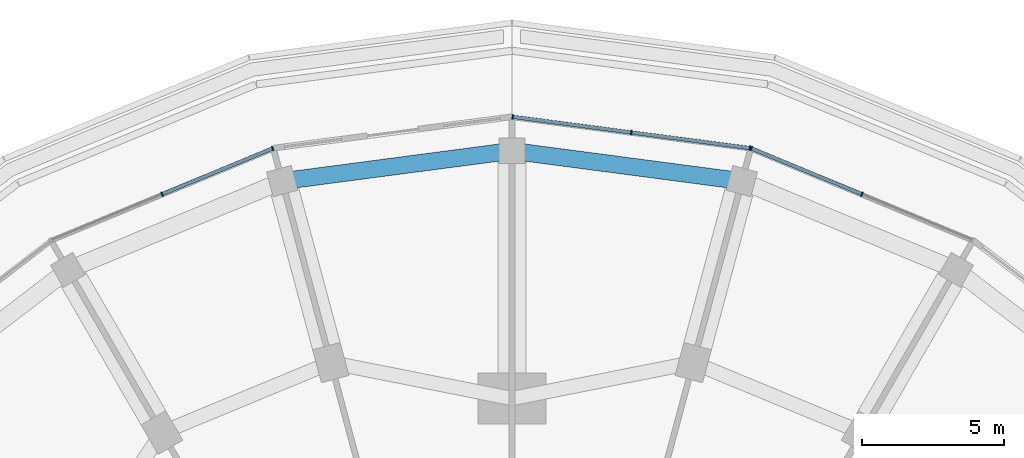
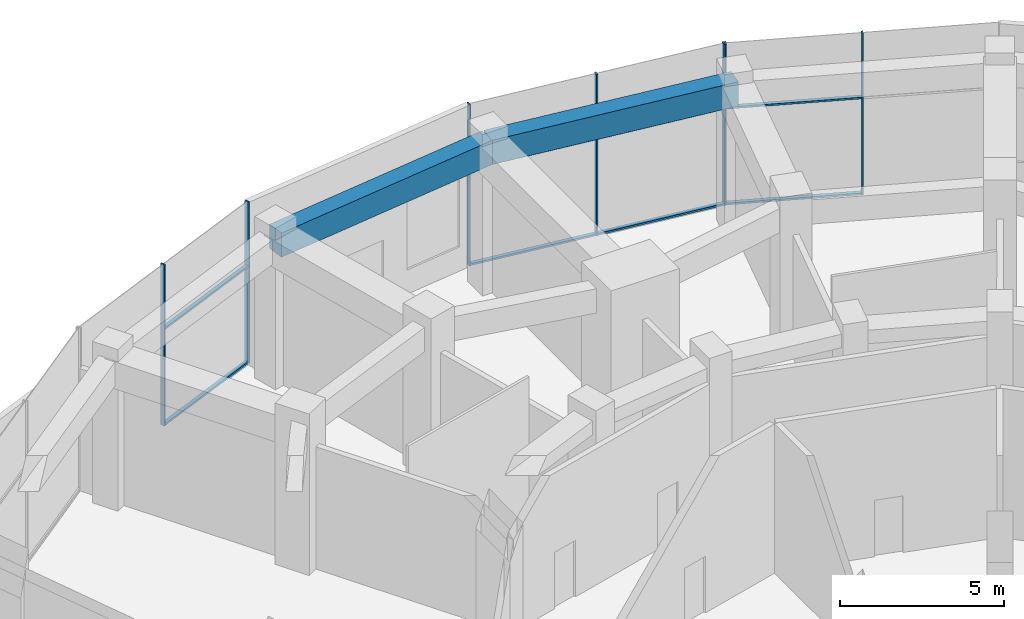
# One storey, part 12 of 23: 15 members, 2 beams, 3 elements without a shape of their own.
"""IFC4 building model written with IfcOpenShell, lengths in metres."""

from ifc_helpers import new_model, si_unit, direction, frame, origin, origin_2d, place, context, subcontext, project, spatial, rectangle, extrude, material, layer, layer_set, material_profile, profile_set, type_object, element, aggregate, save


model = new_model("IFC4")

# Units and contexts
model_context = context("Model", 3, precision=1e-05, world=origin(), true_north=direction((0.0, 1.0)))
body_context = subcontext(model_context, "Body", "Model", "MODEL_VIEW")
ifc_project = project(units=[si_unit("LENGTHUNIT", "METRE"), si_unit("AREAUNIT", "SQUARE_METRE"), si_unit("VOLUMEUNIT", "CUBIC_METRE"), si_unit("PLANEANGLEUNIT", "RADIAN"), si_unit("MASSUNIT", "GRAM", prefix="KILO")], contexts=[model_context])

# Site, building, storey
site_placement = place(None, origin())
site = spatial("IfcSite", under=ifc_project, at=site_placement, CompositionType="ELEMENT")
building_placement = place(site_placement, origin())
building = spatial("IfcBuilding", under=site, at=building_placement, Name="Torre Brocal", CompositionType="ELEMENT")
storey_placement = place(building_placement, frame((0.0, 0.0, 17.800048828125)))
storey = spatial("IfcBuildingStorey", under=building, at=storey_placement, Name="L03", CompositionType="ELEMENT", Elevation=17.800048828125)

# Curtain wall, members
ifc_material_1 = material(Name="Aluminium and glass", Category="aluminium")
ifc_layer = layer(ifc_material_1, 0.199951171875)
ifc_layer_set = layer_set([ifc_layer], Name="Aluminium and glass")
curtain_wall_type = type_object("IfcCurtainWallType", Name="CW-6 CURTAIN WALL 6000 HIGH", PredefinedType="NOTDEFINED", material=ifc_layer_set)
curtain_wall_1_placement = place(storey_placement, origin())
curtain_wall_1 = element("IfcCurtainWall", 1, at=curtain_wall_1_placement, inside=storey, type_object=curtain_wall_type, Name="CW-6 RUN 5", PredefinedType="NOTDEFINED")
ifc_material_2 = material(Name="Aluminium, dark anodised", Category="aluminium")
ifc_material_profile_1 = material_profile(ifc_material_2, rectangle(XDim=0.159912109375, YDim=0.050048828125, at=origin_2d()), Name="CW-6 MULLION 50X160")
ifc_profile_set_1 = profile_set([ifc_material_profile_1], Name="Aluminium, dark anodised")
member_type_1 = type_object("IfcMemberType", Name="CW-6 MULLION 50X160", PredefinedType="MULLION", material=ifc_profile_set_1)
member_1_placement = place(storey_placement, frame((92.29248046875, 104.6767578125, 0.0), z_axis=(0.0, 0.0, 1.0), x_axis=(-0.382683432301, -0.923879532538, 0.0)))
member_1 = element("IfcMember", 2, at=member_1_placement, type_object=member_type_1, Name="CW6-2 mullion 2", PredefinedType="MULLION", context=body_context, shape_type="SweptSolid", body=[
    extrude(rectangle(XDim=0.159912109375, YDim=0.050048828125, at=origin_2d()), origin(), (0.0, 0.0, 1.0), 6.0),
])
member_2_placement = place(storey_placement, frame((88.40869140625, 106.28564453125, 0.0), z_axis=(0.0, 0.0, 1.0), x_axis=(-0.382683432301, -0.923879532538, 0.0)))
member_2 = element("IfcMember", 3, at=member_2_placement, type_object=member_type_1, Name="CW6-2 mullion 3", PredefinedType="MULLION", context=body_context, shape_type="SweptSolid", body=[
    extrude(rectangle(XDim=0.159912109375, YDim=0.050048828125, at=origin_2d()), origin(), (0.0, 0.0, 1.0), 6.0),
])

curtain_wall_2_placement = place(storey_placement, origin())
curtain_wall_2 = element("IfcCurtainWall", 4, at=curtain_wall_2_placement, inside=storey, type_object=curtain_wall_type, Name="CW-6 RUN 6", PredefinedType="NOTDEFINED")
member_3_placement = place(storey_placement, frame((88.36083984375, 106.29833984375, 0.0), z_axis=(0.0, 0.0, 1.0), x_axis=(-0.130526192255, -0.991444861369, 0.0)))
member_3 = element("IfcMember", 5, at=member_3_placement, type_object=member_type_1, Name="CW6-2 mullion 1", PredefinedType="MULLION", context=body_context, shape_type="SweptSolid", body=[
    extrude(rectangle(XDim=0.159912109375, YDim=0.050048828125, at=origin_2d()), origin(), (0.0, 0.0, 1.0), 6.0),
])
member_4_placement = place(storey_placement, frame((84.19287109375, 106.84716796875, 0.0), z_axis=(0.0, 0.0, 1.0), x_axis=(-0.130526192255, -0.991444861369, 0.0)))
member_4 = element("IfcMember", 6, at=member_4_placement, type_object=member_type_1, Name="CW6-2 mullion 2", PredefinedType="MULLION", context=body_context, shape_type="SweptSolid", body=[
    extrude(rectangle(XDim=0.159912109375, YDim=0.050048828125, at=origin_2d()), origin(), (0.0, 0.0, 1.0), 6.0),
])
member_5_placement = place(storey_placement, frame((80.02490234375, 107.395751953125, 0.0), z_axis=(0.0, 0.0, 1.0), x_axis=(-0.130526192255, -0.991444861369, 0.0)))
member_5 = element("IfcMember", 7, at=member_5_placement, type_object=member_type_1, Name="CW6-2 mullion 3", PredefinedType="MULLION", context=body_context, shape_type="SweptSolid", body=[
    extrude(rectangle(XDim=0.159912109375, YDim=0.050048828125, at=origin_2d()), origin(), (0.0, 0.0, 1.0), 6.0),
])

curtain_wall_3_placement = place(storey_placement, origin())
curtain_wall_3 = element("IfcCurtainWall", 8, at=curtain_wall_3_placement, inside=storey, type_object=curtain_wall_type, Name="CW-6 RUN 8", PredefinedType="NOTDEFINED")
member_6_placement = place(storey_placement, frame((71.59130859375, 106.28564453125, 0.0), z_axis=(0.0, 0.0, 1.0), x_axis=(0.382683432301, -0.923879532538, 0.0)))
member_6 = element("IfcMember", 9, at=member_6_placement, type_object=member_type_1, Name="CW6-2 mullion 1", PredefinedType="MULLION", context=body_context, shape_type="SweptSolid", body=[
    extrude(rectangle(XDim=0.159912109375, YDim=0.050048828125, at=origin_2d()), origin(), (0.0, 0.0, 1.0), 6.0),
])
member_7_placement = place(storey_placement, frame((67.70751953125, 104.6767578125, 0.0), z_axis=(0.0, 0.0, 1.0), x_axis=(0.382683432301, -0.923879532538, 0.0)))
member_7 = element("IfcMember", 10, at=member_7_placement, type_object=member_type_1, Name="CW6-2 mullion 2", PredefinedType="MULLION", context=body_context, shape_type="SweptSolid", body=[
    extrude(rectangle(XDim=0.159912109375, YDim=0.050048828125, at=origin_2d()), origin(), (0.0, 0.0, 1.0), 6.0),
])

# Member
ifc_material_3 = material(Name="Aluminium, dark anodised", Category="aluminium")
ifc_material_profile_2 = material_profile(ifc_material_3, rectangle(XDim=0.1298828125, YDim=0.070068359375, at=origin_2d()), Name="CW-6 TRANSOM 130X70")
ifc_profile_set_2 = profile_set([ifc_material_profile_2], Name="Aluminium, dark anodised")
member_type_2 = type_object("IfcMemberType", Name="CW-6 TRANSOM 130X70", PredefinedType="USERDEFINED", material=ifc_profile_set_2)
member_8_placement = place(storey_placement, frame((92.26953125, 104.686279296875, 0.034912109375), z_axis=(-0.923867838001, 0.38271166419, 0.0), x_axis=(-0.38271166419, -0.923867838001, 0.0)))
member_8 = element("IfcMember", 11, at=member_8_placement, type_object=member_type_2, Name="CW6-2 transom 2.1", ObjectType="TRANSOM", PredefinedType="USERDEFINED", context=body_context, shape_type="SweptSolid", body=[
    extrude(rectangle(XDim=0.1298828125, YDim=0.070068359375, at=origin_2d()), origin(), (0.0, 0.0, 1.0), 4.154052734375),
])

member_9_placement = place(storey_placement, frame((92.26953125, 104.686279296875, 3.599853515625), z_axis=(-0.923867838001, 0.38271166419, 0.0), x_axis=(-0.38271166419, -0.923867838001, 0.0)))
member_9 = element("IfcMember", 12, at=member_9_placement, type_object=member_type_2, Name="CW6-2 transom 2.2", ObjectType="TRANSOM", PredefinedType="USERDEFINED", context=body_context, shape_type="SweptSolid", body=[
    extrude(rectangle(XDim=0.1298828125, YDim=0.070068359375, at=origin_2d()), origin(), (0.0, 0.0, 1.0), 4.154052734375),
])

aggregate(curtain_wall_1, [member_1, member_2, member_8, member_9])

member_10_placement = place(storey_placement, frame((88.3359375, 106.3017578125, 0.034912109375), z_axis=(-0.991443689902, 0.130535090122, 0.0), x_axis=(-0.130535090122, -0.991443689902, 0.0)))
member_10 = element("IfcMember", 13, at=member_10_placement, type_object=member_type_2, Name="CW6-2 transom 1.1", ObjectType="TRANSOM", PredefinedType="USERDEFINED", context=body_context, shape_type="SweptSolid", body=[
    extrude(rectangle(XDim=0.1298828125, YDim=0.070068359375, at=origin_2d()), origin(), (0.0, 0.0, 1.0), 4.154052734375),
])

member_11_placement = place(storey_placement, frame((88.3359375, 106.3017578125, 3.599853515625), z_axis=(-0.991443689902, 0.130535090122, 0.0), x_axis=(-0.130535090122, -0.991443689902, 0.0)))
member_11 = element("IfcMember", 14, at=member_11_placement, type_object=member_type_2, Name="CW6-2 transom 1.2", ObjectType="TRANSOM", PredefinedType="USERDEFINED", context=body_context, shape_type="SweptSolid", body=[
    extrude(rectangle(XDim=0.1298828125, YDim=0.070068359375, at=origin_2d()), origin(), (0.0, 0.0, 1.0), 4.154052734375),
])

member_12_placement = place(storey_placement, frame((84.16796875, 106.850341796875, 0.034912109375), z_axis=(-0.991443689902, 0.130535090122, 0.0), x_axis=(-0.130535090122, -0.991443689902, 0.0)))
member_12 = element("IfcMember", 15, at=member_12_placement, type_object=member_type_2, Name="CW6-2 transom 2.1", ObjectType="TRANSOM", PredefinedType="USERDEFINED", context=body_context, shape_type="SweptSolid", body=[
    extrude(rectangle(XDim=0.1298828125, YDim=0.070068359375, at=origin_2d()), origin(), (0.0, 0.0, 1.0), 4.154052734375),
])

member_13_placement = place(storey_placement, frame((84.16796875, 106.850341796875, 3.599853515625), z_axis=(-0.991443689902, 0.130535090122, 0.0), x_axis=(-0.130535090122, -0.991443689902, 0.0)))
member_13 = element("IfcMember", 16, at=member_13_placement, type_object=member_type_2, Name="CW6-2 transom 2.2", ObjectType="TRANSOM", PredefinedType="USERDEFINED", context=body_context, shape_type="SweptSolid", body=[
    extrude(rectangle(XDim=0.1298828125, YDim=0.070068359375, at=origin_2d()), origin(), (0.0, 0.0, 1.0), 4.154052734375),
])

aggregate(curtain_wall_2, [member_3, member_4, member_5, member_10, member_11, member_12, member_13])

member_14_placement = place(storey_placement, frame((71.568359375, 106.276123046875, 0.034912109375), z_axis=(-0.923867838001, -0.38271166419, 0.0), x_axis=(0.38271166419, -0.923867838001, 0.0)))
member_14 = element("IfcMember", 17, at=member_14_placement, type_object=member_type_2, Name="CW6-2 transom 1.1", ObjectType="TRANSOM", PredefinedType="USERDEFINED", context=body_context, shape_type="SweptSolid", body=[
    extrude(rectangle(XDim=0.1298828125, YDim=0.070068359375, at=origin_2d()), origin(), (0.0, 0.0, 1.0), 4.154052734375),
])

member_15_placement = place(storey_placement, frame((71.568359375, 106.276123046875, 3.599853515625), z_axis=(-0.923867838001, -0.38271166419, 0.0), x_axis=(0.38271166419, -0.923867838001, 0.0)))
member_15 = element("IfcMember", 18, at=member_15_placement, type_object=member_type_2, Name="CW6-2 transom 1.2", ObjectType="TRANSOM", PredefinedType="USERDEFINED", context=body_context, shape_type="SweptSolid", body=[
    extrude(rectangle(XDim=0.1298828125, YDim=0.070068359375, at=origin_2d()), origin(), (0.0, 0.0, 1.0), 4.154052734375),
])

aggregate(curtain_wall_3, [member_6, member_7, member_14, member_15])

# Beams
ifc_material_4 = material(Name="Concrete C50", Category="concrete")
ifc_material_profile_3 = material_profile(ifc_material_4, rectangle(XDim=0.60009765625, YDim=0.89990234375, at=origin_2d()), Name="RC 600X900")
ifc_profile_set_3 = profile_set([ifc_material_profile_3], Name="Concrete C50")
beam_type = type_object("IfcBeamType", Name="RC BEAM 600X900 C50 TOP 5550", PredefinedType="BEAM", material=ifc_profile_set_3)
for number, where, z_axis, x_axis, name in (
    (19, (88.0751953125, 105.136962890625, 5.099853515625), (-0.991446948203, 0.130510340201, 0.0), (-0.130510340201, -0.991446948203, 0.0), "Beam BT-13"),
    (20, (80.0, 106.199951171875, 5.099853515625), (-0.991446948203, -0.130510340201, 0.0), (0.130510340201, -0.991446948203, 0.0), "Beam BT-13"),
):
    element("IfcBeam", number, at=place(storey_placement, frame(where, z_axis=z_axis, x_axis=x_axis)), inside=storey, type_object=beam_type, Name=name, PredefinedType="BEAM", context=body_context, shape_type="SweptSolid", body=[
        extrude(rectangle(XDim=0.60009765625, YDim=0.89990234375, at=origin_2d()), origin(), (0.0, 0.0, 1.0), 8.144775390625),
    ])

save(model, "model.ifc")
